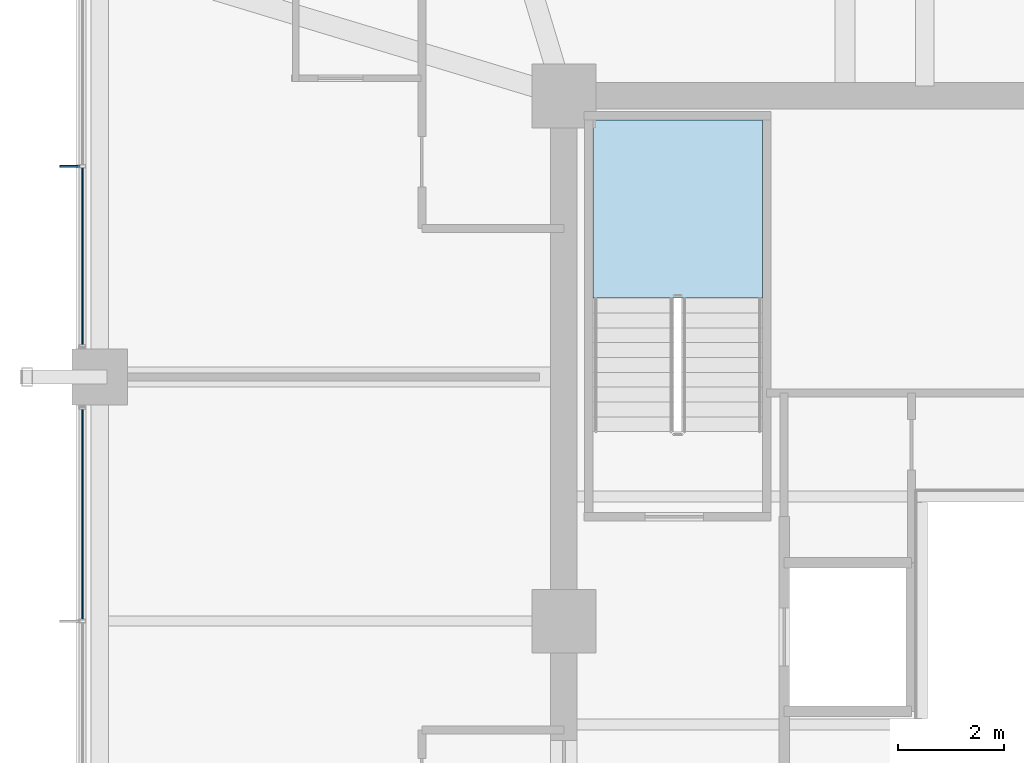
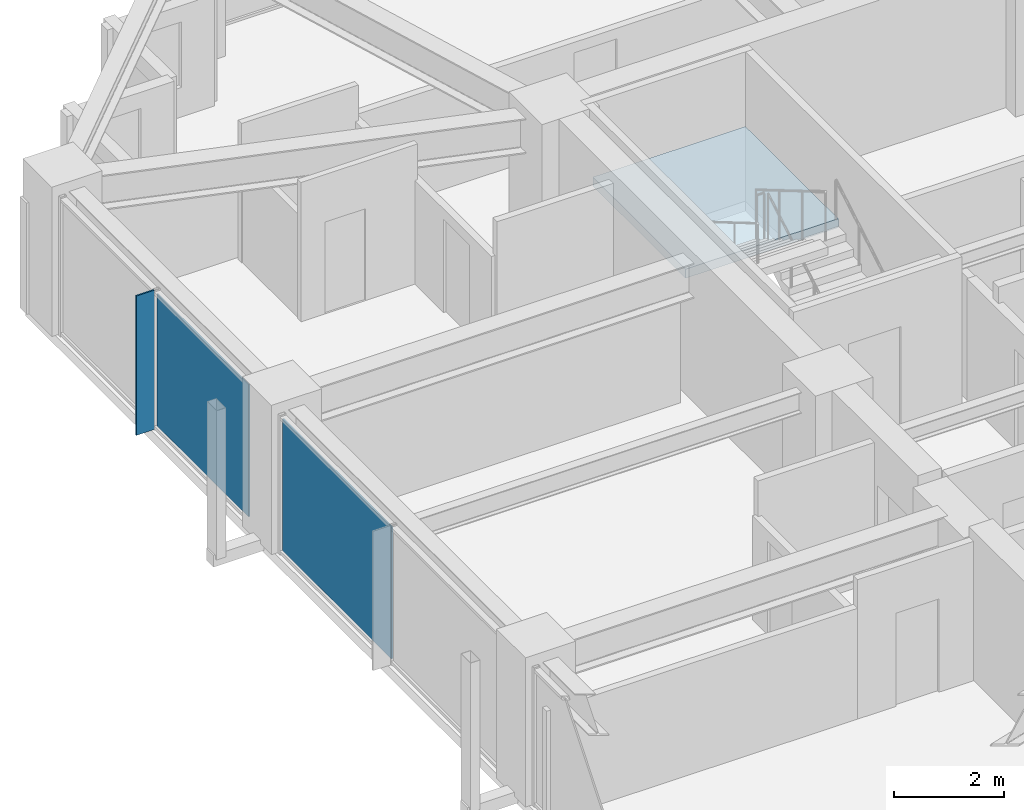
# One storey, part 21 of 31: 3 plates, 1 slab, 3 elements without a shape of their own.
"""IFC4 building model written with IfcOpenShell, lengths in metres."""

from ifc_helpers import new_model, si_unit, direction, frame, origin, origin_2d, place, context, subcontext, project, spatial, polyline, rectangle, outline, extrude, material, layer, layer_set, type_object, element, aggregate, save


model = new_model("IFC4")

# Units and contexts
model_context = context("Model", 3, precision=1e-05, world=origin(), true_north=direction((0.0, 1.0)))
body_context = subcontext(model_context, "Body", "Model", "MODEL_VIEW")
ifc_project = project(units=[si_unit("LENGTHUNIT", "METRE"), si_unit("AREAUNIT", "SQUARE_METRE"), si_unit("VOLUMEUNIT", "CUBIC_METRE"), si_unit("PLANEANGLEUNIT", "RADIAN"), si_unit("MASSUNIT", "GRAM", prefix="KILO")], contexts=[model_context])

# Site, building, storey
site_placement = place(None, origin())
site = spatial("IfcSite", under=ifc_project, at=site_placement, CompositionType="ELEMENT")
building_placement = place(site_placement, origin())
building = spatial("IfcBuilding", under=site, at=building_placement, Name="Kolvaren Belvedere", CompositionType="ELEMENT")
storey_placement = place(building_placement, frame((0.0, 0.0, 118.39990234375)))
storey = spatial("IfcBuildingStorey", under=building, at=storey_placement, Name="L34", CompositionType="ELEMENT", Elevation=118.39990234375)

# Curtain wall, plate
ifc_material_1 = material(Name="Anodised pale-metal aluminium AA 6063-T6", Category="aluminium")
curtain_wall_type = type_object("IfcCurtainWallType", Name="CW-Z3-WAIST", PredefinedType="NOTDEFINED", material=ifc_material_1)
curtain_wall_1_placement = place(storey_placement, origin())
curtain_wall_1 = element("IfcCurtainWall", 1, at=curtain_wall_1_placement, inside=storey, type_object=curtain_wall_type, Name="L34 Unitised Curtain Wall FCW-L34-W-B2", PredefinedType="NOTDEFINED")
ifc_material_2 = material(Name="Low-iron triple insulated glass", Category="glass")
ifc_layer_1 = layer(ifc_material_2, 0.028076171875)
ifc_layer_set_1 = layer_set([ifc_layer_1], Name="Low-iron triple insulated glass")
plate_type_1 = type_object("IfcPlateType", Name="CW-PNL-VIS28", PredefinedType="CURTAIN_PANEL", material=ifc_layer_set_1)
plate_1_placement = place(storey_placement, frame((-18.97998046875, 2.01123046875, 0.080078125), z_axis=(0.0, 0.0, 1.0), x_axis=(0.0, 1.0, 0.0)))
plate_1 = element("IfcPlate", 2, at=plate_1_placement, type_object=plate_type_1, Name="FCW-L34-W-B2 Vision Glazing Panel 2", PredefinedType="CURTAIN_PANEL", context=body_context, shape_type="SweptSolid", body=[
    extrude(rectangle(XDim=3.9423828125, YDim=0.028076171875, at=origin_2d()), origin(), (0.0, 0.0, 1.0), 2.919921875),
])
aggregate(curtain_wall_1, [plate_1])

curtain_wall_2_placement = place(storey_placement, origin())
curtain_wall_2 = element("IfcCurtainWall", 3, at=curtain_wall_2_placement, inside=storey, type_object=curtain_wall_type, Name="L34 Unitised Curtain Wall FCW-L34-W-B3", PredefinedType="NOTDEFINED")
plate_2_placement = place(storey_placement, frame((-18.97998046875, 6.876220703125, 0.080078125), z_axis=(0.0, 0.0, 1.0), x_axis=(0.0, 1.0, 0.0)))
plate_2 = element("IfcPlate", 4, at=plate_2_placement, type_object=plate_type_1, Name="FCW-L34-W-B3 Vision Glazing Panel 1", PredefinedType="CURTAIN_PANEL", context=body_context, shape_type="SweptSolid", body=[
    extrude(rectangle(XDim=3.3173828125, YDim=0.028076171875, at=origin_2d()), origin(), (0.0, 0.0, 1.0), 2.919921875),
])
aggregate(curtain_wall_2, [plate_2])

# Plate
ifc_material_3 = material(Name="Anodised pale-metal aluminium AA 6063-T6", Category="aluminium")
ifc_layer_2 = layer(ifc_material_3, 0.033935546875)
ifc_layer_set_2 = layer_set([ifc_layer_2], Name="Anodised pale-metal aluminium AA 6063-T6")
plate_type_2 = type_object("IfcPlateType", Name="FIN-VERT-380", PredefinedType="USERDEFINED", material=ifc_layer_set_2)
plate_3_placement = place(storey_placement, frame((-19.219970703125, 8.574951171875, 0.0), z_axis=(0.0, 0.0, 1.0), x_axis=(1.0, 0.0, 0.0)))
element("IfcPlate", 5, at=plate_3_placement, inside=storey, type_object=plate_type_2, Name="L34 Pale-Metal Vertical Shading Fin FCW-L34-W-B3-1", ObjectType="VERTICAL FIN", PredefinedType="USERDEFINED", context=body_context, shape_type="SweptSolid", body=[
    extrude(rectangle(XDim=0.3798828125, YDim=0.033935546875, at=origin_2d()), origin(), (0.0, 0.0, 1.0), 3.080078125),
])

# Stair, slab
ifc_material_4 = material(Name="Concrete C50/60", Category="concrete")
stair_type = type_object("IfcStairType", Name="ST-CORE-1520", PredefinedType="HALF_TURN_STAIR", material=ifc_material_4)
stair_placement = place(storey_placement, origin())
stair = element("IfcStair", 6, at=stair_placement, inside=storey, type_object=stair_type, Name="L34 Protected Exit Stair ST-1", PredefinedType="HALF_TURN_STAIR")
ifc_material_5 = material(Name="Concrete C50/60", Category="concrete")
ifc_layer_3 = layer(ifc_material_5, 0.260009765625)
ifc_layer_set_3 = layer_set([ifc_layer_3], Name="Concrete C50/60")
slab_type = type_object("IfcSlabType", Name="SL-LAND-260", PredefinedType="LANDING", material=ifc_layer_set_3)
slab_placement = place(storey_placement, frame((0.0, 0.0, 1.4501953125)))
slab = element("IfcSlab", 7, at=slab_placement, type_object=slab_type, Name="ST-1 landing 1", PredefinedType="LANDING", context=body_context, shape_type="SweptSolid", body=[
    extrude(outline(polyline([(-6.159912109375, 6.090087890625), (-6.159912109375, 9.449951171875), (-9.35009765625, 9.449951171875), (-9.35009765625, 6.090087890625), (-6.159912109375, 6.090087890625)])), origin(), (0.0, 0.0, 1.0), 0.199951171875),
])
aggregate(stair, [slab])

save(model, "model.ifc")
